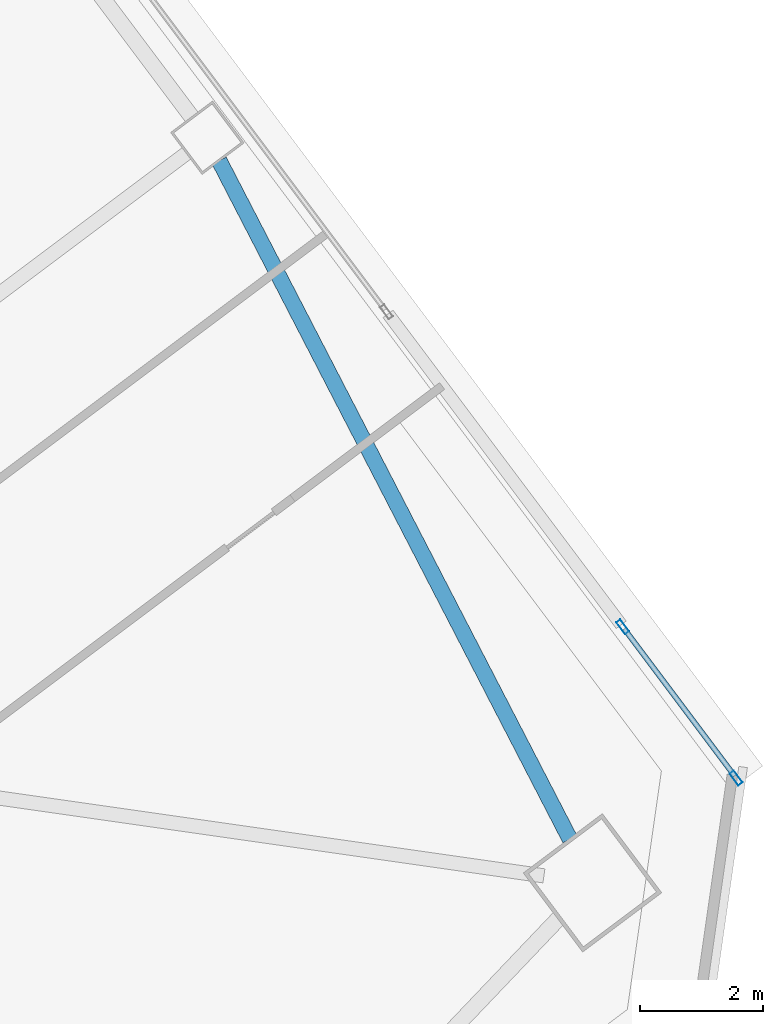
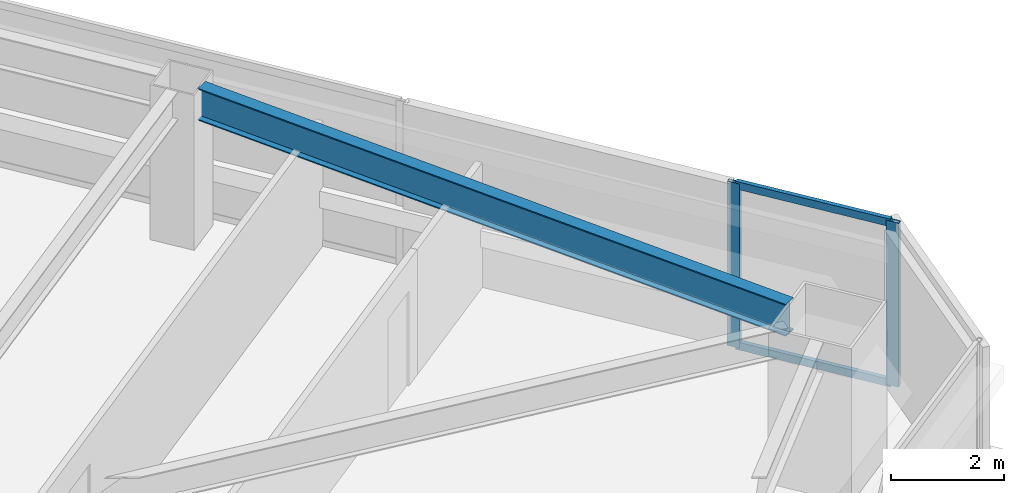
# One storey, part 29 of 51: 4 members, 1 beam, 1 element without a shape of its own.
"""IFC4 building model written with IfcOpenShell, lengths in metres."""

from ifc_helpers import new_model, si_unit, direction, frame, origin, origin_2d, place, context, subcontext, project, spatial, hollow_rectangle, i_section, extrude, material, material_profile, profile_set, type_object, element, aggregate, save


model = new_model("IFC4")

# Units and contexts
model_context = context("Model", 3, precision=1e-05, world=origin(), true_north=direction((0.0, 1.0)))
body_context = subcontext(model_context, "Body", "Model", "MODEL_VIEW")
ifc_project = project(units=[si_unit("LENGTHUNIT", "METRE"), si_unit("AREAUNIT", "SQUARE_METRE"), si_unit("VOLUMEUNIT", "CUBIC_METRE"), si_unit("PLANEANGLEUNIT", "RADIAN"), si_unit("MASSUNIT", "GRAM", prefix="KILO")], contexts=[model_context])

# Site, building, storey
site_placement = place(None, origin())
site = spatial("IfcSite", under=ifc_project, at=site_placement, CompositionType="ELEMENT")
building_placement = place(site_placement, origin())
building = spatial("IfcBuilding", under=site, at=building_placement, Name="Tashvorn Skyway Center", CompositionType="ELEMENT")
storey_placement = place(building_placement, frame((0.0, 0.0, 49.449951171875)))
storey = spatial("IfcBuildingStorey", under=building, at=storey_placement, Name="L12", CompositionType="ELEMENT", Elevation=49.449951171875)

# Beam
ifc_material_1 = material(Name="Steel ASTM A992 Grade 50", Category="steel")
ifc_material_profile_1 = material_profile(ifc_material_1, i_section(OverallWidth=0.256103515625, OverallDepth=0.693115234375, WebThickness=0.014404296875, FlangeThickness=0.023681640625, at=origin_2d()), Name="W27X114")
ifc_profile_set_1 = profile_set([ifc_material_profile_1], Name="Steel ASTM A992 Grade 50")
beam_type = type_object("IfcBeamType", Name="BM-SPANDREL-W27X114", PredefinedType="SPANDREL", material=ifc_profile_set_1)
beam_placement = place(storey_placement, frame((139.954833984375, 28.9462890625, 3.003662109375), z_axis=(-0.459233413919, 0.888315637339, 0.0), x_axis=(-0.888315637339, -0.459233413919, 0.0)))
element("IfcBeam", 1, at=beam_placement, inside=storey, type_object=beam_type, Name="Tower 2 L12 Spandrel Beam 04", PredefinedType="SPANDREL", context=body_context, shape_type="SweptSolid", body=[
    extrude(i_section(OverallWidth=0.256103515625, OverallDepth=0.693115234375, WebThickness=0.014404296875, FlangeThickness=0.023681640625, at=origin_2d()), origin(), (0.0, 0.0, 1.0), 12.37255859375),
])

# Curtain wall, members
ifc_material_2 = material(Name="Thermally broken bronze-anodized aluminium 6063-T6", Category="aluminium")
curtain_wall_type = type_object("IfcCurtainWallType", Name="CW-CW-Z1", PredefinedType="NOTDEFINED", material=ifc_material_2)
curtain_wall_placement = place(storey_placement, origin())
curtain_wall = element("IfcCurtainWall", 2, at=curtain_wall_placement, inside=storey, type_object=curtain_wall_type, Name="Tower 2 L12 East Unitised Curtain Wall Glazing Group 3", PredefinedType="NOTDEFINED")
ifc_material_profile_2 = material_profile(ifc_material_2, hollow_rectangle(XDim=0.0849609375, YDim=0.239990234375, WallThickness=0.0048828125, at=origin_2d()), Name="ALU-MULL-85x240")
ifc_profile_set_2 = profile_set([ifc_material_profile_2], Name="Thermally broken bronze-anodized aluminium 6063-T6")
member_type_1 = type_object("IfcMemberType", Name="CWM-CW-Z1", PredefinedType="MULLION", material=ifc_profile_set_2)
member_1_placement = place(storey_placement, frame((140.8095703125, 32.38720703125, 0.0), z_axis=(0.0, 0.0, 1.0), x_axis=(0.799996186392, 0.600005084776, 0.0)))
member_1 = element("IfcMember", 3, at=member_1_placement, type_object=member_type_1, Name="CW-Z1 mullion 1", PredefinedType="MULLION", context=body_context, shape_type="SweptSolid", body=[
    extrude(hollow_rectangle(XDim=0.0849609375, YDim=0.239990234375, WallThickness=0.0048828125, at=origin_2d()), origin(), (0.0, 0.0, 1.0), 3.550048828125),
])
member_2_placement = place(storey_placement, frame((142.646484375, 29.93798828125, 0.0), z_axis=(0.0, 0.0, 1.0), x_axis=(0.799996186392, 0.600005084776, 0.0)))
member_2 = element("IfcMember", 4, at=member_2_placement, type_object=member_type_1, Name="CW-Z1 mullion 2", PredefinedType="MULLION", context=body_context, shape_type="SweptSolid", body=[
    extrude(hollow_rectangle(XDim=0.0849609375, YDim=0.239990234375, WallThickness=0.0048828125, at=origin_2d()), origin(), (0.0, 0.0, 1.0), 3.550048828125),
])
ifc_material_profile_3 = material_profile(ifc_material_2, hollow_rectangle(XDim=0.0849609375, YDim=0.1650390625, WallThickness=0.0048828125, at=origin_2d()), Name="ALU-TRAN-85x165")
ifc_profile_set_3 = profile_set([ifc_material_profile_3], Name="Thermally broken bronze-anodized aluminium 6063-T6")
member_type_2 = type_object("IfcMemberType", Name="CWT-CW-Z1", PredefinedType="USERDEFINED", material=ifc_profile_set_3)
member_3_placement = place(storey_placement, frame((140.8349609375, 32.353271484375, 0.04248046875), z_axis=(0.600026244674, -0.799980315822, 0.0), x_axis=(0.799980315822, 0.600026244674, 0.0)))
member_3 = element("IfcMember", 5, at=member_3_placement, type_object=member_type_2, Name="CW-Z1 transom 1.1", ObjectType="TRANSOM", PredefinedType="USERDEFINED", context=body_context, shape_type="SweptSolid", body=[
    extrude(hollow_rectangle(XDim=0.0849609375, YDim=0.1650390625, WallThickness=0.0048828125, at=origin_2d()), origin(), (0.0, 0.0, 1.0), 2.976806640625),
])
member_4_placement = place(storey_placement, frame((140.8349609375, 32.353271484375, 3.507568359375), z_axis=(0.600026244674, -0.799980315822, 0.0), x_axis=(0.799980315822, 0.600026244674, 0.0)))
member_4 = element("IfcMember", 6, at=member_4_placement, type_object=member_type_2, Name="CW-Z1 transom 1.2", ObjectType="TRANSOM", PredefinedType="USERDEFINED", context=body_context, shape_type="SweptSolid", body=[
    extrude(hollow_rectangle(XDim=0.0849609375, YDim=0.1650390625, WallThickness=0.0048828125, at=origin_2d()), origin(), (0.0, 0.0, 1.0), 2.976806640625),
])
aggregate(curtain_wall, [member_1, member_2, member_3, member_4])

save(model, "model.ifc")
